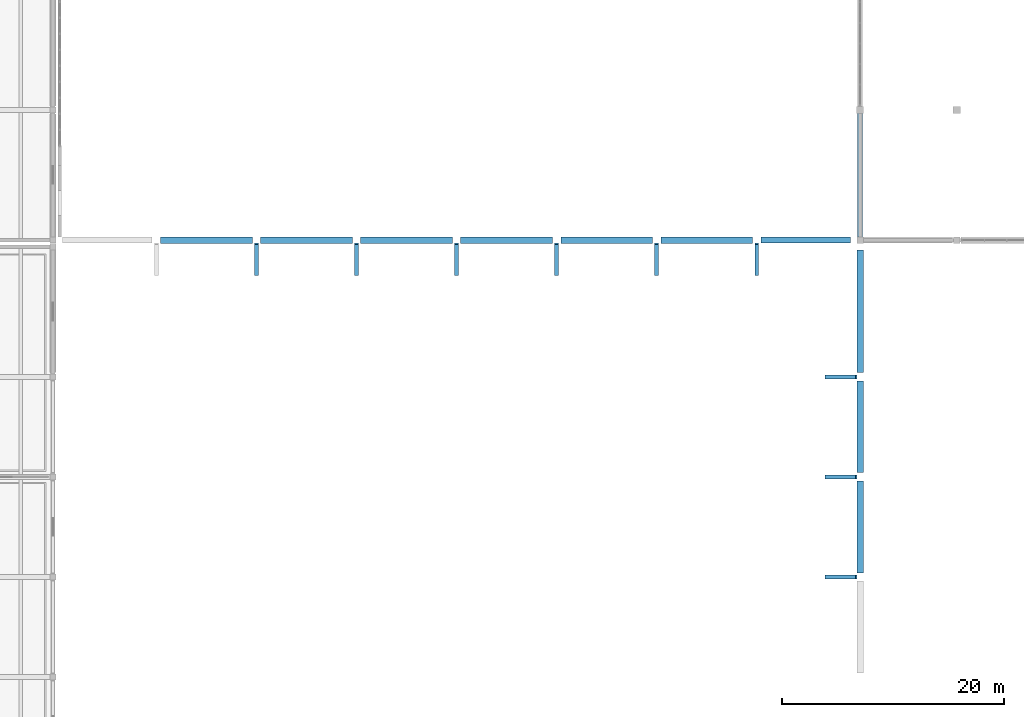
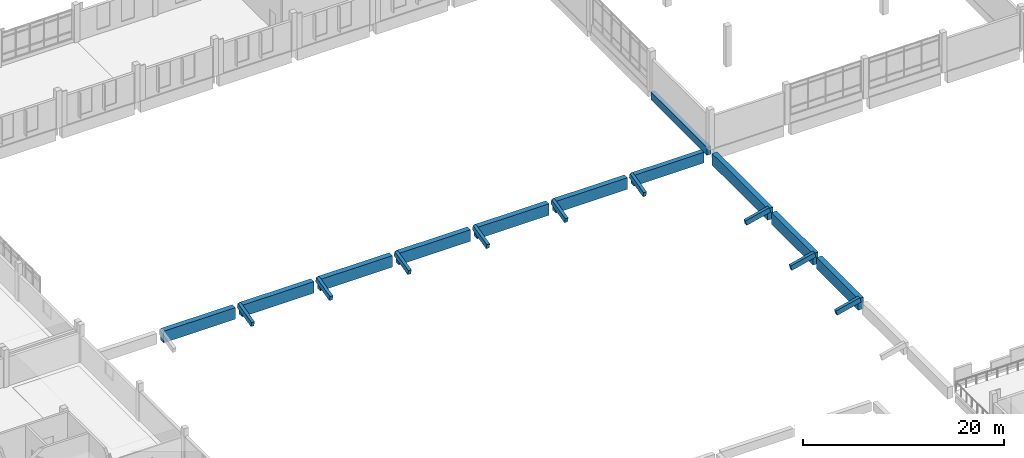
# One storey, part 12 of 63: 20 beams.
"""IFC4 building model written with IfcOpenShell, lengths in metres."""

from ifc_helpers import new_model, si_unit, direction, frame, origin, origin_2d, place, context, subcontext, project, spatial, rectangle, extrude, material, material_profile, profile_set, type_object, element, save


model = new_model("IFC4")

# Units and contexts
model_context = context("Model", 3, precision=1e-05, world=origin(), true_north=direction((0.0, 1.0)))
body_context = subcontext(model_context, "Body", "Model", "MODEL_VIEW")
ifc_project = project(units=[si_unit("LENGTHUNIT", "METRE"), si_unit("AREAUNIT", "SQUARE_METRE"), si_unit("VOLUMEUNIT", "CUBIC_METRE"), si_unit("PLANEANGLEUNIT", "RADIAN"), si_unit("MASSUNIT", "GRAM", prefix="KILO")], contexts=[model_context])

# Site, building, storey
site_placement = place(None, origin())
site = spatial("IfcSite", under=ifc_project, at=site_placement, CompositionType="ELEMENT")
building_placement = place(site_placement, origin())
building = spatial("IfcBuilding", under=site, at=building_placement, Name="Zacnel Wholesale Market", CompositionType="ELEMENT")
storey_placement = place(building_placement, frame((0.0, 0.0, 11.199951171875)))
storey = spatial("IfcBuildingStorey", under=building, at=storey_placement, Name="L03", CompositionType="ELEMENT", Elevation=11.199951171875)

# Beams
ifc_material_1 = material(Name="Concrete C40/50", Category="concrete")
ifc_material_profile_1 = material_profile(ifc_material_1, rectangle(XDim=0.35009765625, YDim=0.60009765625, at=origin_2d()), Name="ARCH RIB 350x600")
ifc_profile_set_1 = profile_set([ifc_material_profile_1], Name="Concrete C40/50")
beam_type_1 = type_object("IfcBeamType", Name="BM-AR600", PredefinedType="USERDEFINED", material=ifc_profile_set_1)
for number, where, z_axis, x_axis, name in (
    (1, (90.0, 95.9599609375, 0.219970703125), (0.0, -0.971783266457, -0.235875566843), (1.0, 0.0, 0.0), "Storm eave extrados rib 003"),
    (2, (99.0, 95.9599609375, 0.219970703125), (0.0, -0.971783266457, -0.235875566843), (1.0, 0.0, 0.0), "Storm eave extrados rib 004"),
    (3, (108.0, 95.9599609375, 0.219970703125), (0.0, -0.971783266457, -0.235875566843), (1.0, 0.0, 0.0), "Storm eave extrados rib 005"),
    (4, (117.0, 95.9599609375, 0.219970703125), (0.0, -0.971783266457, -0.235875566843), (1.0, 0.0, 0.0), "Storm eave extrados rib 006"),
    (5, (126.0, 95.9599609375, 0.219970703125), (0.0, -0.971783266457, -0.235875566843), (1.0, 0.0, 0.0), "Storm eave extrados rib 007"),
    (6, (135.0, 95.9599609375, 0.219970703125), (0.0, -0.971783266457, -0.235875566843), (1.0, 0.0, 0.0), "Storm eave extrados rib 008"),
    (7, (143.9599609375, 66.0, 0.219970703125), (-0.971783266457, 0.0, -0.235875566843), (0.0, -1.0, 0.0), "Storm eave extrados rib 013"),
    (8, (143.9599609375, 75.0, 0.219970703125), (-0.971783266457, 0.0, -0.235875566843), (0.0, -1.0, 0.0), "Storm eave extrados rib 014"),
    (9, (143.9599609375, 84.0, 0.219970703125), (-0.971783266457, 0.0, -0.235875566843), (0.0, -1.0, 0.0), "Storm eave extrados rib 016"),
):
    element("IfcBeam", number, at=place(storey_placement, frame(where, z_axis=z_axis, x_axis=x_axis)), inside=storey, type_object=beam_type_1, Name=name, ObjectType="ARCH RIB", PredefinedType="USERDEFINED", context=body_context, shape_type="SweptSolid", body=[
        extrude(rectangle(XDim=0.35009765625, YDim=0.60009765625, at=origin_2d()), origin(), (0.0, 0.0, 1.0), 2.840087890625),
    ])
ifc_material_2 = material(Name="Precast concrete C45/55", Category="concrete")
ifc_material_profile_2 = material_profile(ifc_material_2, rectangle(XDim=0.449951171875, YDim=0.949951171875, at=origin_2d()), Name="PG 450x950")
ifc_profile_set_2 = profile_set([ifc_material_profile_2], Name="Precast concrete C45/55")
beam_type_2 = type_object("IfcBeamType", Name="BM-PG950", PredefinedType="BEAM", material=ifc_profile_set_2)
beam_1_placement = place(storey_placement, frame((144.300048828125, 96.580078125, -0.474853515625), z_axis=(0.0, 1.0, 0.0), x_axis=(-1.0, 0.0, 0.0)))
element("IfcBeam", 10, at=beam_1_placement, inside=storey, type_object=beam_type_2, Name="Crossing drum base girder Y-01", PredefinedType="BEAM", context=body_context, shape_type="SweptSolid", body=[
    extrude(rectangle(XDim=0.449951171875, YDim=0.949951171875, at=origin_2d()), origin(), (0.0, 0.0, 1.0), 11.139892578125),
])
ifc_material_3 = material(Name="Concrete C40/50", Category="concrete")
ifc_material_profile_3 = material_profile(ifc_material_3, rectangle(XDim=0.550048828125, YDim=1.300048828125, at=origin_2d()), Name="PTB 550x1300")
ifc_profile_set_3 = profile_set([ifc_material_profile_3], Name="Concrete C40/50")
beam_type_3 = type_object("IfcBeamType", Name="BM-PTB1300", PredefinedType="BEAM", material=ifc_profile_set_3)
beam_2_placement = place(storey_placement, frame((135.375, 96.300048828125, -0.64990234375), z_axis=(1.0, 0.0, 0.0), x_axis=(0.0, 1.0, 0.0)))
element("IfcBeam", 11, at=beam_2_placement, inside=storey, type_object=beam_type_3, Name="Precast girder X-0743", PredefinedType="BEAM", context=body_context, shape_type="SweptSolid", body=[
    extrude(rectangle(XDim=0.550048828125, YDim=1.300048828125, at=origin_2d()), origin(), (0.0, 0.0, 1.0), 8.050048828125),
])
ifc_material_4 = material(Name="Concrete C40/50", Category="concrete")
ifc_material_profile_4 = material_profile(ifc_material_4, rectangle(XDim=0.60009765625, YDim=1.39990234375, at=origin_2d()), Name="PTB 600x1400")
ifc_profile_set_4 = profile_set([ifc_material_profile_4], Name="Concrete C40/50")
beam_type_4 = type_object("IfcBeamType", Name="BM-PTB1400", PredefinedType="BEAM", material=ifc_profile_set_4)
for number, where, z_axis, x_axis, name in (
    (12, (81.375, 96.300048828125, -0.699951171875), (1.0, 0.0, 0.0), (0.0, 1.0, 0.0), "Precast girder X-0737"),
    (13, (90.375, 96.300048828125, -0.699951171875), (1.0, 0.0, 0.0), (0.0, 1.0, 0.0), "Precast girder X-0738"),
    (14, (99.375, 96.300048828125, -0.699951171875), (1.0, 0.0, 0.0), (0.0, 1.0, 0.0), "Precast girder X-0739"),
    (15, (108.375, 96.300048828125, -0.699951171875), (1.0, 0.0, 0.0), (0.0, 1.0, 0.0), "Precast girder X-0740"),
    (16, (117.375, 96.300048828125, -0.699951171875), (1.0, 0.0, 0.0), (0.0, 1.0, 0.0), "Precast girder X-0741"),
    (17, (126.375, 96.300048828125, -0.699951171875), (1.0, 0.0, 0.0), (0.0, 1.0, 0.0), "Precast girder X-0742"),
    (18, (144.300048828125, 66.375, -0.699951171875), (0.0, 1.0, 0.0), (-1.0, 0.0, 0.0), "Precast girder Y-0929"),
    (19, (144.300048828125, 75.375, -0.699951171875), (0.0, 1.0, 0.0), (-1.0, 0.0, 0.0), "Precast girder Y-0930"),
):
    element("IfcBeam", number, at=place(storey_placement, frame(where, z_axis=z_axis, x_axis=x_axis)), inside=storey, type_object=beam_type_4, Name=name, PredefinedType="BEAM", context=body_context, shape_type="SweptSolid", body=[
        extrude(rectangle(XDim=0.60009765625, YDim=1.39990234375, at=origin_2d()), origin(), (0.0, 0.0, 1.0), 8.25),
    ])
beam_3_placement = place(storey_placement, frame((144.300048828125, 84.375, -0.699951171875), z_axis=(0.0, 1.0, 0.0), x_axis=(-1.0, 0.0, 0.0)))
element("IfcBeam", 20, at=beam_3_placement, inside=storey, type_object=beam_type_4, Name="Precast girder Y-0931", PredefinedType="BEAM", context=body_context, shape_type="SweptSolid", body=[
    extrude(rectangle(XDim=0.60009765625, YDim=1.39990234375, at=origin_2d()), origin(), (0.0, 0.0, 1.0), 11.050048828125),
])

save(model, "model.ifc")
